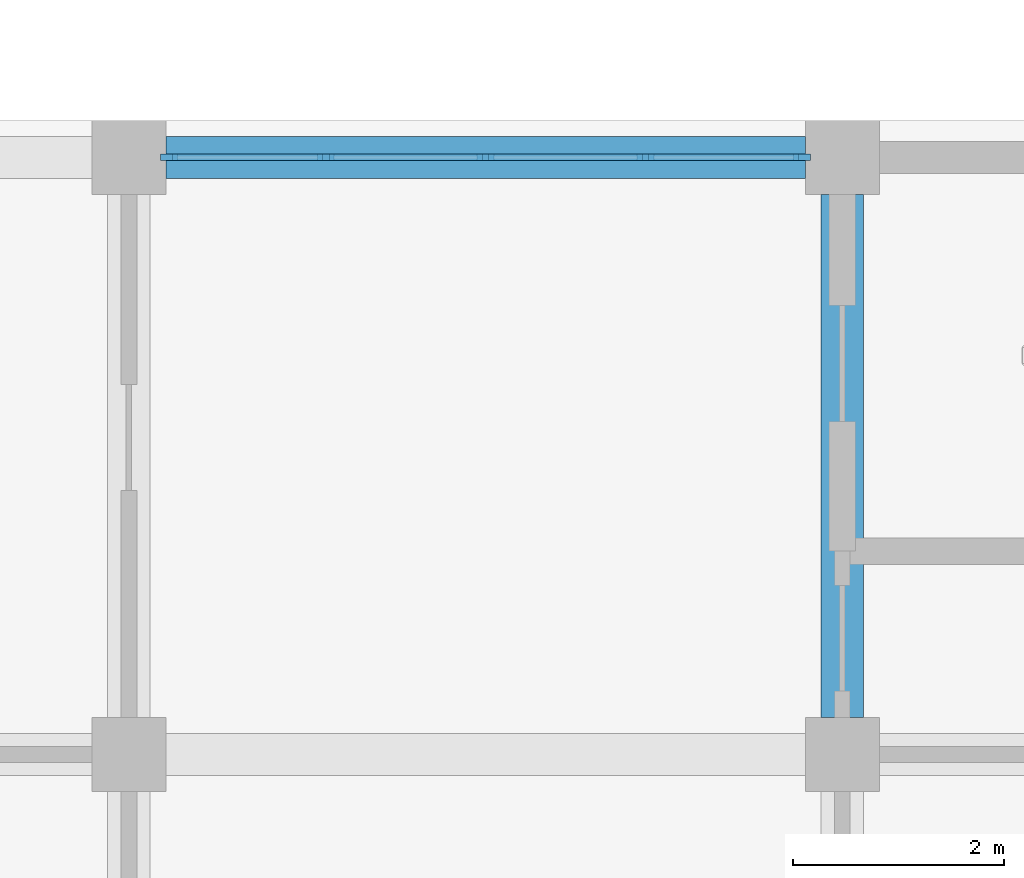
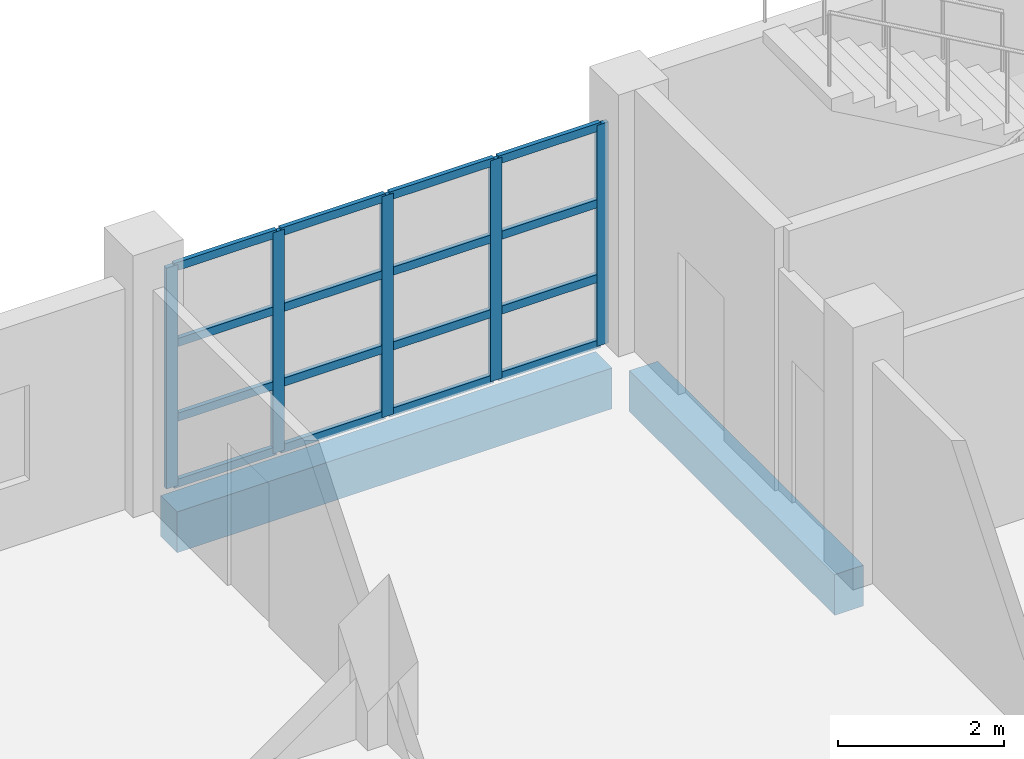
# One storey, part 22 of 42: 21 members, 2 beams, 1 element without a shape of its own.
"""IFC4 building model written with IfcOpenShell, lengths in metres."""

import ifcopenshell
import ifcopenshell.guid

model = None  # the IFC model being written
_history = None  # IfcOwnerHistory: only IFC2X3 demands one
_inside = {}  # id of a spatial element -> (the spatial element, [elements in it])
_under = {}  # id of a project, library or spatial element -> (it, [spatial elements below it])
_declared = {}  # id of a project -> (the project, [libraries it declares])
_typed = {}  # id of a type object -> (the type object, [elements of that type])
_made_of = {}  # id of a material, layer set ... -> (it, [elements and type objects made of it])


def new_model(schema):
    """Start an empty IFC model of exactly this schema.

    Asked for "IFC4X3", IfcOpenShell would pick the latest addendum, in which some entities
    have other attributes; the version numbers below select the first issue.
    IFC2X3 requires an IfcOwnerHistory on every rooted entity: one is made here for all.
    """
    global model, _history
    if schema == "IFC4X3":
        model = ifcopenshell.file(schema_version=(4, 3, 0, 0))
    else:
        model = ifcopenshell.file(schema=schema)
    _inside.clear()
    _under.clear()
    _declared.clear()
    _typed.clear()
    _made_of.clear()
    _history = None
    if model.schema == "IFC2X3":
        org = make("IfcOrganization", Name="unknown")
        user = make(
            "IfcPersonAndOrganization",
            ThePerson=make("IfcPerson", FamilyName="unknown"),
            TheOrganization=org,
        )
        app = make(
            "IfcApplication",
            ApplicationDeveloper=org,
            Version="unknown",
            ApplicationFullName="unknown",
            ApplicationIdentifier="unknown",
        )
        _history = make(
            "IfcOwnerHistory",
            OwningUser=user,
            OwningApplication=app,
            ChangeAction="ADDED",
            CreationDate=0,
        )
    return model


def make(cls, **values):
    """One entity of the class cls with the attributes given. An attribute that is None is left unset."""
    return model.create_entity(
        cls, **{name: value for name, value in values.items() if value is not None}
    )


def rooted(cls, **values):
    """An entity with a GlobalId (a new one), such as an element, a storey or a relation."""
    return make(cls, GlobalId=ifcopenshell.guid.new(), OwnerHistory=_history, **values)


def si_unit(unit_type, name, prefix=None):
    """IfcSIUnit, for example si_unit("LENGTHUNIT", "METRE", prefix="MILLI")."""
    return make("IfcSIUnit", UnitType=unit_type, Prefix=prefix, Name=name)


def assignment(units):
    """IfcUnitAssignment: the units of a project."""
    return None if units is None else make("IfcUnitAssignment", Units=units)


def point(xyz):
    """IfcCartesianPoint."""
    return None if xyz is None else make("IfcCartesianPoint", Coordinates=xyz)


def direction(xyz):
    """IfcDirection."""
    return None if xyz is None else make("IfcDirection", DirectionRatios=xyz)


def frame(location, z_axis=None, x_axis=None):
    """IfcAxis2Placement3D, a coordinate frame: its origin and axes. An axis left out is left unset."""
    return make(
        "IfcAxis2Placement3D",
        Location=point(location),
        Axis=direction(z_axis),
        RefDirection=direction(x_axis),
    )


def frame_2d(location, x_axis=None):
    """IfcAxis2Placement2D, a coordinate frame in the plane: its origin and x axis."""
    return make(
        "IfcAxis2Placement2D", Location=point(location), RefDirection=direction(x_axis)
    )


def origin():
    """The frame at (0, 0, 0) with its axes left unset."""
    return frame((0.0, 0.0, 0.0))


def origin_2d():
    """The frame at (0, 0) in the plane with its x axis left unset."""
    return frame_2d((0.0, 0.0))


def place(relative_to, where):
    """IfcLocalPlacement: puts the frame where relative to a parent placement (None: the world)."""
    return make(
        "IfcLocalPlacement", PlacementRelTo=relative_to, RelativePlacement=where
    )


def context(
    kind, dimensions, precision=None, world=None, true_north=None, identifier=None
):
    """IfcGeometricRepresentationContext, for example the 3D "Model" context."""
    return make(
        "IfcGeometricRepresentationContext",
        ContextIdentifier=identifier,
        ContextType=kind,
        CoordinateSpaceDimension=dimensions,
        Precision=precision,
        WorldCoordinateSystem=world,
        TrueNorth=true_north,
    )


def subcontext(parent, identifier, kind, view, scale=None):
    """IfcGeometricRepresentationSubContext, for example "Body" below "Model"."""
    return make(
        "IfcGeometricRepresentationSubContext",
        ContextIdentifier=identifier,
        ContextType=kind,
        ParentContext=parent,
        TargetScale=scale,
        TargetView=view,
    )


def project(units=None, contexts=None):
    """IfcProject with its units and contexts."""
    return rooted(
        "IfcProject",
        Name="project",
        RepresentationContexts=contexts,
        UnitsInContext=assignment(units),
    )


def spatial(cls, under=None, at=None, **own):
    """A site, building, storey or space (cls), placed at a placement, below another one or the project."""
    s = rooted(cls, ObjectPlacement=at, **own)
    if under is not None:
        _under.setdefault(under.id(), (under, []))[1].append(s)
    return s


def profile(cls, at=None, kind="AREA", **sizes):
    """A parametric profile (cls). Its sizes go by their IFC names, for example OverallWidth=200.0."""
    return make(cls, ProfileType=kind, Position=at, **sizes)


def rectangle(**sizes):
    """IfcRectangleProfileDef."""
    return profile("IfcRectangleProfileDef", **sizes)


def extrude(swept, where, along, depth):
    """IfcExtrudedAreaSolid: the profile swept, set in the frame where, extruded along a direction by depth."""
    return make(
        "IfcExtrudedAreaSolid",
        SweptArea=swept,
        Position=where,
        ExtrudedDirection=direction(along),
        Depth=depth,
    )


def shape(context_of_items, identifier, shape_type, items):
    """IfcShapeRepresentation: the items that make up one representation, for example the "Body"."""
    return make(
        "IfcShapeRepresentation",
        ContextOfItems=context_of_items,
        RepresentationIdentifier=identifier,
        RepresentationType=shape_type,
        Items=items,
    )


def material(Name=None, Category=None):
    """IfcMaterial."""
    return make("IfcMaterial", Name=Name, Category=Category)


def layer(
    of_material, thickness, ventilated=None, Name=None, Category=None, Priority=None
):
    """IfcMaterialLayer: one layer of a wall or slab, of a material (None: an air gap)."""
    return make(
        "IfcMaterialLayer",
        Material=of_material,
        LayerThickness=thickness,
        IsVentilated=ventilated,
        Name=Name,
        Category=Category,
        Priority=Priority,
    )


def layer_set(layers, Name=None):
    """IfcMaterialLayerSet."""
    return make("IfcMaterialLayerSet", MaterialLayers=layers, LayerSetName=Name)


def material_profile(
    of_material, cross_section, Name=None, Category=None, Priority=None
):
    """IfcMaterialProfile: a cross section and its material."""
    return make(
        "IfcMaterialProfile",
        Name=Name,
        Material=of_material,
        Profile=cross_section,
        Priority=Priority,
        Category=Category,
    )


def profile_set(profiles, Name=None, composite=None):
    """IfcMaterialProfileSet."""
    return make(
        "IfcMaterialProfileSet",
        Name=Name,
        MaterialProfiles=profiles,
        CompositeProfile=composite,
    )


def made_of(thing, what):
    """Note that an element or type object is made of a material, layer set ...; save() writes the relation."""
    if what is not None:
        _made_of.setdefault(what.id(), (what, []))[1].append(thing)
    return thing


def type_object(cls, material=None, **own):
    """A type object (cls), such as IfcWallType, which elements share."""
    return made_of(rooted(cls, **own), material)


def element(
    cls,
    number,
    at=None,
    inside=None,
    cuts=None,
    type_object=None,
    material=None,
    context=None,
    identifier="Body",
    shape_type=None,
    held_by="IfcProductDefinitionShape",
    body=None,
    shapes=None,
    **own,
):
    """One element of the class cls, such as IfcWall. Its Tag is "e" and its number.

    at: its placement. inside: the storey or other place that contains it. cuts: it is an
    opening in that element (IfcRelVoidsElement). A single representation is given by context,
    identifier, shape_type and body (its items); several are given by shapes. held_by: the class
    of the entity that holds the representations. save() writes the other relations.
    """
    e = rooted(cls, Tag="e%d" % number, ObjectPlacement=at, **own)
    if body is not None:
        shapes = [shape(context, identifier, shape_type, body)]
    if shapes is not None:
        e.Representation = make(held_by, Representations=shapes)
    if inside is not None:
        _inside.setdefault(inside.id(), (inside, []))[1].append(e)
    if cuts is not None:
        rooted(
            "IfcRelVoidsElement", RelatingBuildingElement=cuts, RelatedOpeningElement=e
        )
    if type_object is not None:
        _typed.setdefault(type_object.id(), (type_object, []))[1].append(e)
    return made_of(e, material)


def aggregate(whole, parts):
    """IfcRelAggregates: a whole, such as a stair, and the parts it consists of."""
    return rooted("IfcRelAggregates", RelatingObject=whole, RelatedObjects=parts)


def save(model, path):
    """Write the relations noted so far, then the file.

    IfcRelAggregates (storeys below a building ...), IfcRelContainedInSpatialStructure (elements
    in a storey), IfcRelDefinesByType, IfcRelAssociatesMaterial and IfcRelDeclares: one each for
    every whole, place, type object, material and project.
    """
    for whole, parts in _under.values():
        aggregate(whole, parts)
    for where, things in _inside.values():
        rooted(
            "IfcRelContainedInSpatialStructure",
            RelatedElements=things,
            RelatingStructure=where,
        )
    for kind, things in _typed.values():
        rooted("IfcRelDefinesByType", RelatedObjects=things, RelatingType=kind)
    for what, things in _made_of.values():
        rooted("IfcRelAssociatesMaterial", RelatedObjects=things, RelatingMaterial=what)
    for by, libraries in _declared.values():
        rooted("IfcRelDeclares", RelatingContext=by, RelatedDefinitions=libraries)
    model.write(path)


model = new_model("IFC4")

# Units and contexts
model_context = context("Model", 3, precision=1e-05, world=origin(), true_north=direction((0.0, 1.0)))
body_context = subcontext(model_context, "Body", "Model", "MODEL_VIEW")
ifc_project = project(units=[si_unit("LENGTHUNIT", "METRE"), si_unit("AREAUNIT", "SQUARE_METRE"), si_unit("VOLUMEUNIT", "CUBIC_METRE"), si_unit("PLANEANGLEUNIT", "RADIAN"), si_unit("MASSUNIT", "GRAM", prefix="KILO")], contexts=[model_context])

# Site, building, storey
site_placement = place(None, origin())
site = spatial("IfcSite", under=ifc_project, at=site_placement, CompositionType="ELEMENT")
building_placement = place(site_placement, origin())
building = spatial("IfcBuilding", under=site, at=building_placement, Name="Corbel Stack Research Tower", CompositionType="ELEMENT")
storey_placement = place(building_placement, frame((0.0, 0.0, 11.300048828125)))
storey = spatial("IfcBuildingStorey", under=building, at=storey_placement, Name="L02", CompositionType="ELEMENT", Elevation=11.300048828125)

# Curtain wall, members
ifc_material_1 = material(Name="Aluminium", Category="aluminium")
ifc_layer = layer(ifc_material_1, 0.14990234375)
ifc_layer_set = layer_set([ifc_layer], Name="Aluminium")
curtain_wall_type = type_object("IfcCurtainWallType", Name="CW5 main facade curtain wall", PredefinedType="NOTDEFINED", material=ifc_layer_set)
curtain_wall_placement = place(storey_placement, origin())
curtain_wall = element("IfcCurtainWall", 1, at=curtain_wall_placement, inside=storey, type_object=curtain_wall_type, Name="Main facade curtain wall L02 4", PredefinedType="NOTDEFINED")
ifc_material_2 = material(Name="Aluminium", Category="aluminium")
ifc_material_profile_1 = material_profile(ifc_material_2, rectangle(XDim=0.06005859375, YDim=0.159912109375, at=origin_2d()), Name="Mullion 60 x 160")
ifc_profile_set_1 = profile_set([ifc_material_profile_1], Name="Aluminium")
member_type_1 = type_object("IfcMemberType", Name="CW5 mullion 60 x 160", PredefinedType="MULLION", material=ifc_profile_set_1)
member_1_placement = place(storey_placement, frame((87.330078125, 23.64990234375, 0.0), z_axis=(0.0, 0.0, 1.0), x_axis=(0.0, 1.0, 0.0)))
member_1 = element("IfcMember", 2, at=member_1_placement, type_object=member_type_1, Name="CW5 mullion 1", PredefinedType="MULLION", context=body_context, shape_type="SweptSolid", body=[
    extrude(rectangle(XDim=0.06005859375, YDim=0.159912109375, at=origin_2d()), origin(), (0.0, 0.0, 1.0), 3.25),
])
member_2_placement = place(storey_placement, frame((88.8125, 23.64990234375, 0.0), z_axis=(0.0, 0.0, 1.0), x_axis=(0.0, 1.0, 0.0)))
member_2 = element("IfcMember", 3, at=member_2_placement, type_object=member_type_1, Name="CW5 mullion 2", PredefinedType="MULLION", context=body_context, shape_type="SweptSolid", body=[
    extrude(rectangle(XDim=0.06005859375, YDim=0.159912109375, at=origin_2d()), origin(), (0.0, 0.0, 1.0), 3.25),
])
member_3_placement = place(storey_placement, frame((90.324951171875, 23.64990234375, 0.0), z_axis=(0.0, 0.0, 1.0), x_axis=(0.0, 1.0, 0.0)))
member_3 = element("IfcMember", 4, at=member_3_placement, type_object=member_type_1, Name="CW5 mullion 3", PredefinedType="MULLION", context=body_context, shape_type="SweptSolid", body=[
    extrude(rectangle(XDim=0.06005859375, YDim=0.159912109375, at=origin_2d()), origin(), (0.0, 0.0, 1.0), 3.25),
])
member_4_placement = place(storey_placement, frame((91.83740234375, 23.64990234375, 0.0), z_axis=(0.0, 0.0, 1.0), x_axis=(0.0, 1.0, 0.0)))
member_4 = element("IfcMember", 5, at=member_4_placement, type_object=member_type_1, Name="CW5 mullion 4", PredefinedType="MULLION", context=body_context, shape_type="SweptSolid", body=[
    extrude(rectangle(XDim=0.06005859375, YDim=0.159912109375, at=origin_2d()), origin(), (0.0, 0.0, 1.0), 3.25),
])
member_5_placement = place(storey_placement, frame((93.320068359375, 23.64990234375, 0.0), z_axis=(0.0, 0.0, 1.0), x_axis=(0.0, 1.0, 0.0)))
member_5 = element("IfcMember", 6, at=member_5_placement, type_object=member_type_1, Name="CW5 mullion 5", PredefinedType="MULLION", context=body_context, shape_type="SweptSolid", body=[
    extrude(rectangle(XDim=0.06005859375, YDim=0.159912109375, at=origin_2d()), origin(), (0.0, 0.0, 1.0), 3.25),
])
ifc_material_3 = material(Name="Aluminium", Category="aluminium")
ifc_material_profile_2 = material_profile(ifc_material_3, rectangle(XDim=0.06005859375, YDim=0.1201171875, at=origin_2d()), Name="Transom 60 x 120")
ifc_profile_set_2 = profile_set([ifc_material_profile_2], Name="Aluminium")
member_type_2 = type_object("IfcMemberType", Name="CW5 transom 60 x 120", PredefinedType="USERDEFINED", material=ifc_profile_set_2)
member_6_placement = place(storey_placement, frame((87.360107421875, 23.64990234375, 0.030029296875), z_axis=(1.0, 0.0, 0.0), x_axis=(0.0, 1.0, 0.0)))
member_6 = element("IfcMember", 7, at=member_6_placement, type_object=member_type_2, Name="CW5 transom 1.1", ObjectType="TRANSOM", PredefinedType="USERDEFINED", context=body_context, shape_type="SweptSolid", body=[
    extrude(rectangle(XDim=0.06005859375, YDim=0.1201171875, at=origin_2d()), origin(), (0.0, 0.0, 1.0), 1.42236328125),
])
member_7_placement = place(storey_placement, frame((87.360107421875, 23.64990234375, 1.0), z_axis=(1.0, 0.0, 0.0), x_axis=(0.0, 1.0, 0.0)))
member_7 = element("IfcMember", 8, at=member_7_placement, type_object=member_type_2, Name="CW5 transom 1.2", ObjectType="TRANSOM", PredefinedType="USERDEFINED", context=body_context, shape_type="SweptSolid", body=[
    extrude(rectangle(XDim=0.06005859375, YDim=0.1201171875, at=origin_2d()), origin(), (0.0, 0.0, 1.0), 1.42236328125),
])
member_8_placement = place(storey_placement, frame((87.360107421875, 23.64990234375, 2.099853515625), z_axis=(1.0, 0.0, 0.0), x_axis=(0.0, 1.0, 0.0)))
member_8 = element("IfcMember", 9, at=member_8_placement, type_object=member_type_2, Name="CW5 transom 1.3", ObjectType="TRANSOM", PredefinedType="USERDEFINED", context=body_context, shape_type="SweptSolid", body=[
    extrude(rectangle(XDim=0.06005859375, YDim=0.1201171875, at=origin_2d()), origin(), (0.0, 0.0, 1.0), 1.42236328125),
])
member_9_placement = place(storey_placement, frame((87.360107421875, 23.64990234375, 3.219970703125), z_axis=(1.0, 0.0, 0.0), x_axis=(0.0, 1.0, 0.0)))
member_9 = element("IfcMember", 10, at=member_9_placement, type_object=member_type_2, Name="CW5 transom 1.4", ObjectType="TRANSOM", PredefinedType="USERDEFINED", context=body_context, shape_type="SweptSolid", body=[
    extrude(rectangle(XDim=0.06005859375, YDim=0.1201171875, at=origin_2d()), origin(), (0.0, 0.0, 1.0), 1.42236328125),
])
member_10_placement = place(storey_placement, frame((88.842529296875, 23.64990234375, 0.030029296875), z_axis=(1.0, 0.0, 0.0), x_axis=(0.0, 1.0, 0.0)))
member_10 = element("IfcMember", 11, at=member_10_placement, type_object=member_type_2, Name="CW5 transom 2.1", ObjectType="TRANSOM", PredefinedType="USERDEFINED", context=body_context, shape_type="SweptSolid", body=[
    extrude(rectangle(XDim=0.06005859375, YDim=0.1201171875, at=origin_2d()), origin(), (0.0, 0.0, 1.0), 1.452392578125),
])
member_11_placement = place(storey_placement, frame((88.842529296875, 23.64990234375, 1.0), z_axis=(1.0, 0.0, 0.0), x_axis=(0.0, 1.0, 0.0)))
member_11 = element("IfcMember", 12, at=member_11_placement, type_object=member_type_2, Name="CW5 transom 2.2", ObjectType="TRANSOM", PredefinedType="USERDEFINED", context=body_context, shape_type="SweptSolid", body=[
    extrude(rectangle(XDim=0.06005859375, YDim=0.1201171875, at=origin_2d()), origin(), (0.0, 0.0, 1.0), 1.452392578125),
])
member_12_placement = place(storey_placement, frame((88.842529296875, 23.64990234375, 2.099853515625), z_axis=(1.0, 0.0, 0.0), x_axis=(0.0, 1.0, 0.0)))
member_12 = element("IfcMember", 13, at=member_12_placement, type_object=member_type_2, Name="CW5 transom 2.3", ObjectType="TRANSOM", PredefinedType="USERDEFINED", context=body_context, shape_type="SweptSolid", body=[
    extrude(rectangle(XDim=0.06005859375, YDim=0.1201171875, at=origin_2d()), origin(), (0.0, 0.0, 1.0), 1.452392578125),
])
member_13_placement = place(storey_placement, frame((88.842529296875, 23.64990234375, 3.219970703125), z_axis=(1.0, 0.0, 0.0), x_axis=(0.0, 1.0, 0.0)))
member_13 = element("IfcMember", 14, at=member_13_placement, type_object=member_type_2, Name="CW5 transom 2.4", ObjectType="TRANSOM", PredefinedType="USERDEFINED", context=body_context, shape_type="SweptSolid", body=[
    extrude(rectangle(XDim=0.06005859375, YDim=0.1201171875, at=origin_2d()), origin(), (0.0, 0.0, 1.0), 1.452392578125),
])
member_14_placement = place(storey_placement, frame((90.35498046875, 23.64990234375, 0.030029296875), z_axis=(1.0, 0.0, 0.0), x_axis=(0.0, 1.0, 0.0)))
member_14 = element("IfcMember", 15, at=member_14_placement, type_object=member_type_2, Name="CW5 transom 3.1", ObjectType="TRANSOM", PredefinedType="USERDEFINED", context=body_context, shape_type="SweptSolid", body=[
    extrude(rectangle(XDim=0.06005859375, YDim=0.1201171875, at=origin_2d()), origin(), (0.0, 0.0, 1.0), 1.45263671875),
])
member_15_placement = place(storey_placement, frame((90.35498046875, 23.64990234375, 1.0), z_axis=(1.0, 0.0, 0.0), x_axis=(0.0, 1.0, 0.0)))
member_15 = element("IfcMember", 16, at=member_15_placement, type_object=member_type_2, Name="CW5 transom 3.2", ObjectType="TRANSOM", PredefinedType="USERDEFINED", context=body_context, shape_type="SweptSolid", body=[
    extrude(rectangle(XDim=0.06005859375, YDim=0.1201171875, at=origin_2d()), origin(), (0.0, 0.0, 1.0), 1.45263671875),
])
member_16_placement = place(storey_placement, frame((90.35498046875, 23.64990234375, 2.099853515625), z_axis=(1.0, 0.0, 0.0), x_axis=(0.0, 1.0, 0.0)))
member_16 = element("IfcMember", 17, at=member_16_placement, type_object=member_type_2, Name="CW5 transom 3.3", ObjectType="TRANSOM", PredefinedType="USERDEFINED", context=body_context, shape_type="SweptSolid", body=[
    extrude(rectangle(XDim=0.06005859375, YDim=0.1201171875, at=origin_2d()), origin(), (0.0, 0.0, 1.0), 1.45263671875),
])
member_17_placement = place(storey_placement, frame((90.35498046875, 23.64990234375, 3.219970703125), z_axis=(1.0, 0.0, 0.0), x_axis=(0.0, 1.0, 0.0)))
member_17 = element("IfcMember", 18, at=member_17_placement, type_object=member_type_2, Name="CW5 transom 3.4", ObjectType="TRANSOM", PredefinedType="USERDEFINED", context=body_context, shape_type="SweptSolid", body=[
    extrude(rectangle(XDim=0.06005859375, YDim=0.1201171875, at=origin_2d()), origin(), (0.0, 0.0, 1.0), 1.45263671875),
])
member_18_placement = place(storey_placement, frame((91.867431640625, 23.64990234375, 0.030029296875), z_axis=(1.0, 0.0, 0.0), x_axis=(0.0, 1.0, 0.0)))
member_18 = element("IfcMember", 19, at=member_18_placement, type_object=member_type_2, Name="CW5 transom 4.1", ObjectType="TRANSOM", PredefinedType="USERDEFINED", context=body_context, shape_type="SweptSolid", body=[
    extrude(rectangle(XDim=0.06005859375, YDim=0.1201171875, at=origin_2d()), origin(), (0.0, 0.0, 1.0), 1.422607421875),
])
member_19_placement = place(storey_placement, frame((91.867431640625, 23.64990234375, 1.0), z_axis=(1.0, 0.0, 0.0), x_axis=(0.0, 1.0, 0.0)))
member_19 = element("IfcMember", 20, at=member_19_placement, type_object=member_type_2, Name="CW5 transom 4.2", ObjectType="TRANSOM", PredefinedType="USERDEFINED", context=body_context, shape_type="SweptSolid", body=[
    extrude(rectangle(XDim=0.06005859375, YDim=0.1201171875, at=origin_2d()), origin(), (0.0, 0.0, 1.0), 1.422607421875),
])
member_20_placement = place(storey_placement, frame((91.867431640625, 23.64990234375, 2.099853515625), z_axis=(1.0, 0.0, 0.0), x_axis=(0.0, 1.0, 0.0)))
member_20 = element("IfcMember", 21, at=member_20_placement, type_object=member_type_2, Name="CW5 transom 4.3", ObjectType="TRANSOM", PredefinedType="USERDEFINED", context=body_context, shape_type="SweptSolid", body=[
    extrude(rectangle(XDim=0.06005859375, YDim=0.1201171875, at=origin_2d()), origin(), (0.0, 0.0, 1.0), 1.422607421875),
])
member_21_placement = place(storey_placement, frame((91.867431640625, 23.64990234375, 3.219970703125), z_axis=(1.0, 0.0, 0.0), x_axis=(0.0, 1.0, 0.0)))
member_21 = element("IfcMember", 22, at=member_21_placement, type_object=member_type_2, Name="CW5 transom 4.4", ObjectType="TRANSOM", PredefinedType="USERDEFINED", context=body_context, shape_type="SweptSolid", body=[
    extrude(rectangle(XDim=0.06005859375, YDim=0.1201171875, at=origin_2d()), origin(), (0.0, 0.0, 1.0), 1.422607421875),
])
aggregate(curtain_wall, [member_1, member_2, member_3, member_4, member_5, member_6, member_7, member_8, member_9, member_10, member_11, member_12, member_13, member_14, member_15, member_16, member_17, member_18, member_19, member_20, member_21])

# Beams
ifc_material_4 = material(Name="Concrete C40/50", Category="concrete")
ifc_material_profile_3 = material_profile(ifc_material_4, rectangle(XDim=0.39990234375, YDim=0.60009765625, at=origin_2d()), Name="RC 400 x 600")
ifc_profile_set_3 = profile_set([ifc_material_profile_3], Name="Concrete C40/50")
beam_type = type_object("IfcBeamType", Name="HB1 RC beam 400 x 600", PredefinedType="BEAM", material=ifc_profile_set_3)
beam_1_placement = place(storey_placement, frame((87.300048828125, 23.64990234375, -0.550048828125), z_axis=(1.0, 0.0, 0.0), x_axis=(0.0, 1.0, 0.0)))
element("IfcBeam", 23, at=beam_1_placement, inside=storey, type_object=beam_type, Name="Floor beam L02 H7HG-H8HG", PredefinedType="BEAM", context=body_context, shape_type="SweptSolid", body=[
    extrude(rectangle(XDim=0.39990234375, YDim=0.60009765625, at=origin_2d()), origin(), (0.0, 0.0, 1.0), 6.050048828125),
])
beam_2_placement = place(storey_placement, frame((93.699951171875, 18.35009765625, -0.550048828125), z_axis=(0.0, 1.0, 0.0), x_axis=(-1.0, 0.0, 0.0)))
element("IfcBeam", 24, at=beam_2_placement, inside=storey, type_object=beam_type, Name="Floor beam L02 H8HF-H8HG", PredefinedType="BEAM", context=body_context, shape_type="SweptSolid", body=[
    extrude(rectangle(XDim=0.39990234375, YDim=0.60009765625, at=origin_2d()), origin(), (0.0, 0.0, 1.0), 4.949951171875),
])

save(model, "model.ifc")
